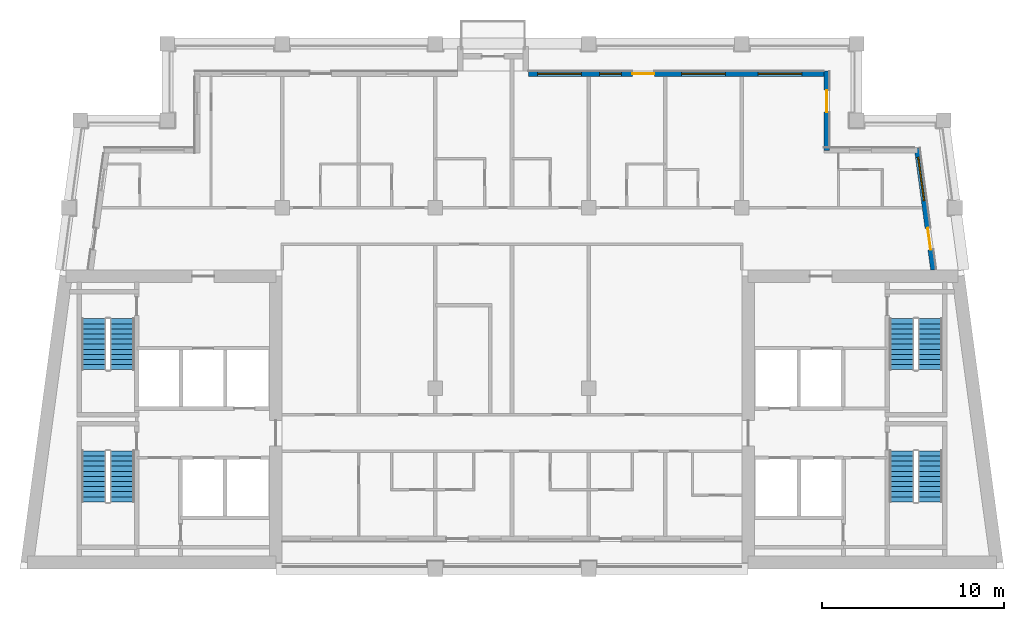
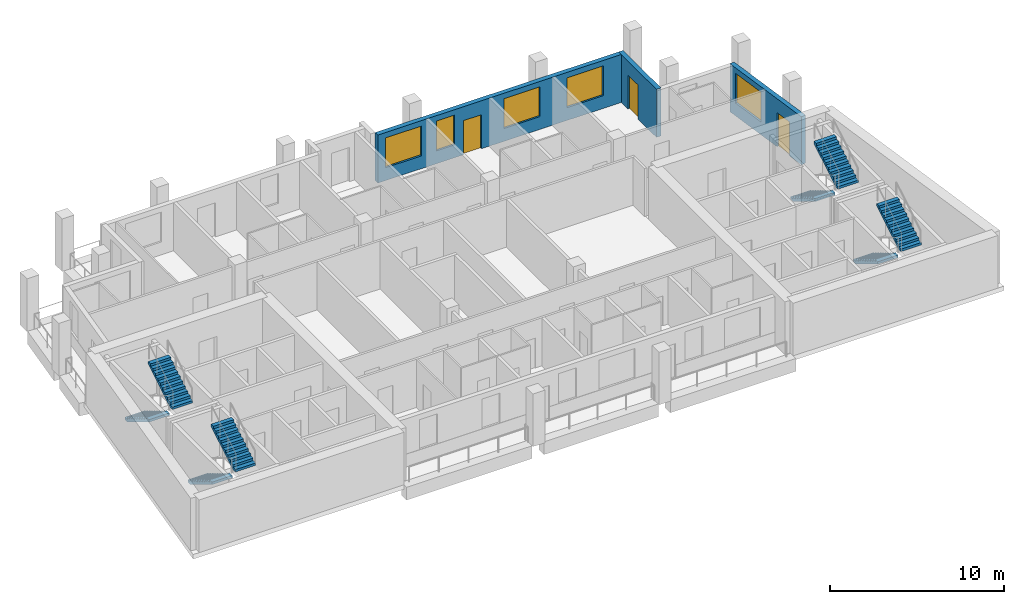
# One storey, part 6 of 9: 8 stair flights, 5 windows, 3 doors, 3 walls, 8 openings, 4 elements without a shape of their own.
"""IFC4 building model written with IfcOpenShell, lengths in metres."""

from ifc_helpers import new_model, si_unit, direction, frame, frame_2d, origin, place, context, subcontext, project, spatial, polyline, rectangle, outline, extrude, material, layer, layer_set, type_object, element, fill, aggregate, save


model = new_model("IFC4")

# Units and contexts
model_context = context("Model", 3, precision=1e-05, world=origin(), true_north=direction((0.0, 1.0)))
body_context = subcontext(model_context, "Body", "Model", "MODEL_VIEW")
ifc_project = project(units=[si_unit("LENGTHUNIT", "METRE"), si_unit("AREAUNIT", "SQUARE_METRE"), si_unit("VOLUMEUNIT", "CUBIC_METRE"), si_unit("PLANEANGLEUNIT", "RADIAN"), si_unit("MASSUNIT", "GRAM", prefix="KILO")], contexts=[model_context])

# Site, building, storey
site_placement = place(None, origin())
site = spatial("IfcSite", under=ifc_project, at=site_placement, CompositionType="ELEMENT")
building_placement = place(site_placement, origin())
building = spatial("IfcBuilding", under=site, at=building_placement, Name="Candeia Pilgrim Tower and Theatre", CompositionType="ELEMENT")
storey_placement = place(building_placement, frame((0.0, 0.0, 296.0)))
storey = spatial("IfcBuildingStorey", under=building, at=storey_placement, Name="L72", CompositionType="ELEMENT", Elevation=296.0)

# Wall, openings, door, window
ifc_material_1 = material(Name="Ceramic block masonry", Category="masonry")
ifc_layer = layer(ifc_material_1, 0.300048828125)
ifc_layer_set = layer_set([ifc_layer], Name="EW1 glazing-line wall 300")
wall_type = type_object("IfcWallType", Name="EW1 glazing-line wall 300", PredefinedType="SOLIDWALL", material=ifc_layer_set)
wall_1_placement = place(storey_placement, frame((136.50439453125, 132.39990234375, 0.0), z_axis=(0.0, 0.0, 1.0), x_axis=(-0.133399697462, 0.99106231929, 0.0)))
wall_1 = element("IfcWall", 1, at=wall_1_placement, inside=storey, type_object=wall_type, Name="External wall L72-2.0", PredefinedType="SOLIDWALL", context=body_context, shape_type="SweptSolid", body=[
    extrude(rectangle(XDim=6.740478515625, YDim=0.300048828125, at=frame_2d((3.3701171875, 0.0))), origin(), (0.0, 0.0, 1.0), 3.3798828125),
])
opening_1_placement = place(wall_1_placement, frame((1.115234375, 0.0, 0.0)))
opening_1 = element("IfcOpeningElement", 2, at=opening_1_placement, cuts=wall_1, Name="Opening L72-ED670", PredefinedType="OPENING", context=body_context, shape_type="SweptSolid", body=[
    extrude(rectangle(XDim=1.199951171875, YDim=2.39990234375, at=frame_2d((0.60009765625, 1.199951171875))), frame((0.0, 0.16015625, 0.0), z_axis=(0.0, -1.0, 0.0), x_axis=(1.0, 0.0, 0.0)), (0.0, 0.0, 1.0), 0.320068359375),
])
opening_2_placement = place(wall_1_placement, frame((3.83544921875, 0.0, 0.89990234375)))
opening_2 = element("IfcOpeningElement", 3, at=opening_2_placement, cuts=wall_1, Name="Opening W-A", PredefinedType="OPENING", context=body_context, shape_type="SweptSolid", body=[
    extrude(rectangle(XDim=2.39990234375, YDim=2.10009765625, at=frame_2d((1.199951171875, 1.050048828125))), frame((0.0, 0.16015625, 0.0), z_axis=(0.0, -1.0, 0.0), x_axis=(1.0, 0.0, 0.0)), (0.0, 0.0, 1.0), 0.320068359375),
])
ifc_material_2 = material(Name="Aluminium framed glazed door", Category="aluminium")
door_type = type_object("IfcDoorType", Name="Loggia door 1200x2400", OperationType="DOUBLE_DOOR_SINGLE_SWING", PredefinedType="DOOR", material=ifc_material_2)
door_1_placement = place(opening_1_placement, origin())
door_1 = element("IfcDoor", 4, at=door_1_placement, inside=storey, type_object=door_type, Name="Loggia door L72-ED670", OperationType="DOUBLE_DOOR_SINGLE_SWING", OverallHeight=2.39990234375, OverallWidth=1.199951171875, PredefinedType="DOOR", context=body_context, shape_type="SweptSolid", body=[
    extrude(rectangle(XDim=1.199951171875, YDim=2.39990234375, at=frame_2d((0.60009765625, 1.199951171875))), frame((0.0, 0.02490234375, 0.0), z_axis=(0.0, -1.0, 0.0), x_axis=(1.0, 0.0, 0.0)), (0.0, 0.0, 1.0), 0.050048828125),
])
fill(opening_1, door_1)
ifc_material_3 = material(Name="Aluminium framed double glazing", Category="aluminium")
window_type_1 = type_object("IfcWindowType", Name="W-A window 2400x2100", PartitioningType="DOUBLE_PANEL_VERTICAL", PredefinedType="WINDOW", material=ifc_material_3)
window_1_placement = place(opening_2_placement, origin())
window_1 = element("IfcWindow", 5, at=window_1_placement, inside=storey, type_object=window_type_1, Name="Window W-A L72", OverallHeight=2.10009765625, OverallWidth=2.39990234375, PartitioningType="SINGLE_PANEL", PredefinedType="WINDOW", context=body_context, shape_type="SweptSolid", body=[
    extrude(rectangle(XDim=2.39990234375, YDim=2.10009765625, at=frame_2d((1.199951171875, 1.050048828125))), frame((0.0, 0.030029296875, 0.0), z_axis=(0.0, -1.0, 0.0), x_axis=(1.0, 0.0, 0.0)), (0.0, 0.0, 1.0), 0.06005859375),
])
fill(opening_2, window_1)

# Wall, opening, door
wall_2_placement = place(storey_placement, frame((130.64990234375, 138.949951171875, 0.0), z_axis=(0.0, 0.0, 1.0), x_axis=(0.0, 1.0, 0.0)))
wall_2 = element("IfcWall", 6, at=wall_2_placement, inside=storey, type_object=wall_type, Name="External wall L72-4.0", PredefinedType="SOLIDWALL", context=body_context, shape_type="SweptSolid", body=[
    extrude(rectangle(XDim=4.35009765625, YDim=0.300048828125, at=frame_2d((2.175048828125, 0.0))), origin(), (0.0, 0.0, 1.0), 3.3798828125),
])
opening_3_placement = place(wall_2_placement, frame((2.10009765625, 0.0, 0.0)))
opening_3 = element("IfcOpeningElement", 7, at=opening_3_placement, cuts=wall_2, Name="Opening L72-ED671", PredefinedType="OPENING", context=body_context, shape_type="SweptSolid", body=[
    extrude(rectangle(XDim=1.199951171875, YDim=2.39990234375, at=frame_2d((0.60009765625, 1.199951171875))), frame((0.0, 0.16015625, 0.0), z_axis=(0.0, -1.0, 0.0), x_axis=(1.0, 0.0, 0.0)), (0.0, 0.0, 1.0), 0.320068359375),
])
door_2_placement = place(opening_3_placement, origin())
door_2 = element("IfcDoor", 8, at=door_2_placement, inside=storey, type_object=door_type, Name="Loggia door L72-ED671", OperationType="DOUBLE_DOOR_SINGLE_SWING", OverallHeight=2.39990234375, OverallWidth=1.199951171875, PredefinedType="DOOR", context=body_context, shape_type="SweptSolid", body=[
    extrude(rectangle(XDim=1.199951171875, YDim=2.39990234375, at=frame_2d((0.60009765625, 1.199951171875))), frame((0.0, 0.02490234375, 0.0), z_axis=(0.0, -1.0, 0.0), x_axis=(1.0, 0.0, 0.0)), (0.0, 0.0, 1.0), 0.050048828125),
])
fill(opening_3, door_2)

# Wall, openings, door, windows
wall_3_placement = place(storey_placement, frame((130.64990234375, 143.14990234375, 0.0), z_axis=(0.0, 0.0, 1.0), x_axis=(-1.0, 0.0, 0.0)))
wall_3 = element("IfcWall", 9, at=wall_3_placement, inside=storey, type_object=wall_type, Name="External wall L72-5.0", PredefinedType="SOLIDWALL", context=body_context, shape_type="SweptSolid", body=[
    extrude(rectangle(XDim=16.349853515625, YDim=0.300048828125, at=frame_2d((8.1748046875, 0.0))), origin(), (0.0, 0.0, 1.0), 3.3798828125),
])
opening_4_placement = place(wall_3_placement, frame((1.35009765625, 0.0, 0.89990234375)))
opening_4 = element("IfcOpeningElement", 10, at=opening_4_placement, cuts=wall_3, Name="Opening W-A", PredefinedType="OPENING", context=body_context, shape_type="SweptSolid", body=[
    extrude(rectangle(XDim=2.39990234375, YDim=2.10009765625, at=frame_2d((1.199951171875, 1.050048828125))), frame((0.0, 0.16015625, 0.0), z_axis=(0.0, -1.0, 0.0), x_axis=(1.0, 0.0, 0.0)), (0.0, 0.0, 1.0), 0.320068359375),
])
opening_5_placement = place(wall_3_placement, frame((5.550048828125, 0.0, 0.89990234375)))
opening_5 = element("IfcOpeningElement", 11, at=opening_5_placement, cuts=wall_3, Name="Opening W-A", PredefinedType="OPENING", context=body_context, shape_type="SweptSolid", body=[
    extrude(rectangle(XDim=2.39990234375, YDim=2.10009765625, at=frame_2d((1.199951171875, 1.050048828125))), frame((0.0, 0.16015625, 0.0), z_axis=(0.0, -1.0, 0.0), x_axis=(1.0, 0.0, 0.0)), (0.0, 0.0, 1.0), 0.320068359375),
])
opening_6_placement = place(wall_3_placement, frame((9.449951171875, 0.0, 0.0)))
opening_6 = element("IfcOpeningElement", 12, at=opening_6_placement, cuts=wall_3, Name="Opening L72-ED672", PredefinedType="OPENING", context=body_context, shape_type="SweptSolid", body=[
    extrude(rectangle(XDim=1.199951171875, YDim=2.39990234375, at=frame_2d((0.60009765625, 1.199951171875))), frame((0.0, 0.16015625, 0.0), z_axis=(0.0, -1.0, 0.0), x_axis=(1.0, 0.0, 0.0)), (0.0, 0.0, 1.0), 0.320068359375),
])
opening_7_placement = place(wall_3_placement, frame((11.25, 0.0, 0.89990234375)))
opening_7 = element("IfcOpeningElement", 13, at=opening_7_placement, cuts=wall_3, Name="Opening W-B", PredefinedType="OPENING", context=body_context, shape_type="SweptSolid", body=[
    extrude(rectangle(XDim=1.199951171875, YDim=2.10009765625, at=frame_2d((0.60009765625, 1.050048828125))), frame((0.0, 0.16015625, 0.0), z_axis=(0.0, -1.0, 0.0), x_axis=(1.0, 0.0, 0.0)), (0.0, 0.0, 1.0), 0.320068359375),
])
opening_8_placement = place(wall_3_placement, frame((13.449951171875, 0.0, 0.89990234375)))
opening_8 = element("IfcOpeningElement", 14, at=opening_8_placement, cuts=wall_3, Name="Opening W-A", PredefinedType="OPENING", context=body_context, shape_type="SweptSolid", body=[
    extrude(rectangle(XDim=2.39990234375, YDim=2.10009765625, at=frame_2d((1.199951171875, 1.050048828125))), frame((0.0, 0.16015625, 0.0), z_axis=(0.0, -1.0, 0.0), x_axis=(1.0, 0.0, 0.0)), (0.0, 0.0, 1.0), 0.320068359375),
])
door_3_placement = place(opening_6_placement, origin())
door_3 = element("IfcDoor", 15, at=door_3_placement, inside=storey, type_object=door_type, Name="Loggia door L72-ED672", OperationType="DOUBLE_DOOR_SINGLE_SWING", OverallHeight=2.39990234375, OverallWidth=1.199951171875, PredefinedType="DOOR", context=body_context, shape_type="SweptSolid", body=[
    extrude(rectangle(XDim=1.199951171875, YDim=2.39990234375, at=frame_2d((0.60009765625, 1.199951171875))), frame((0.0, 0.02490234375, 0.0), z_axis=(0.0, -1.0, 0.0), x_axis=(1.0, 0.0, 0.0)), (0.0, 0.0, 1.0), 0.050048828125),
])
fill(opening_6, door_3)
window_2_placement = place(opening_4_placement, origin())
window_2 = element("IfcWindow", 16, at=window_2_placement, inside=storey, type_object=window_type_1, Name="Window W-A L72", OverallHeight=2.10009765625, OverallWidth=2.39990234375, PartitioningType="SINGLE_PANEL", PredefinedType="WINDOW", context=body_context, shape_type="SweptSolid", body=[
    extrude(rectangle(XDim=2.39990234375, YDim=2.10009765625, at=frame_2d((1.199951171875, 1.050048828125))), frame((0.0, 0.030029296875, 0.0), z_axis=(0.0, -1.0, 0.0), x_axis=(1.0, 0.0, 0.0)), (0.0, 0.0, 1.0), 0.06005859375),
])
fill(opening_4, window_2)
window_3_placement = place(opening_5_placement, origin())
window_3 = element("IfcWindow", 17, at=window_3_placement, inside=storey, type_object=window_type_1, Name="Window W-A L72", OverallHeight=2.10009765625, OverallWidth=2.39990234375, PartitioningType="SINGLE_PANEL", PredefinedType="WINDOW", context=body_context, shape_type="SweptSolid", body=[
    extrude(rectangle(XDim=2.39990234375, YDim=2.10009765625, at=frame_2d((1.199951171875, 1.050048828125))), frame((0.0, 0.030029296875, 0.0), z_axis=(0.0, -1.0, 0.0), x_axis=(1.0, 0.0, 0.0)), (0.0, 0.0, 1.0), 0.06005859375),
])
fill(opening_5, window_3)
window_4_placement = place(opening_8_placement, origin())
window_4 = element("IfcWindow", 18, at=window_4_placement, inside=storey, type_object=window_type_1, Name="Window W-A L72", OverallHeight=2.10009765625, OverallWidth=2.39990234375, PartitioningType="SINGLE_PANEL", PredefinedType="WINDOW", context=body_context, shape_type="SweptSolid", body=[
    extrude(rectangle(XDim=2.39990234375, YDim=2.10009765625, at=frame_2d((1.199951171875, 1.050048828125))), frame((0.0, 0.030029296875, 0.0), z_axis=(0.0, -1.0, 0.0), x_axis=(1.0, 0.0, 0.0)), (0.0, 0.0, 1.0), 0.06005859375),
])
fill(opening_8, window_4)
window_type_2 = type_object("IfcWindowType", Name="W-B window 1200x2100", PartitioningType="SINGLE_PANEL", PredefinedType="WINDOW", material=ifc_material_3)
window_5_placement = place(opening_7_placement, origin())
window_5 = element("IfcWindow", 19, at=window_5_placement, inside=storey, type_object=window_type_2, Name="Window W-B L72", OverallHeight=2.10009765625, OverallWidth=1.199951171875, PartitioningType="SINGLE_PANEL", PredefinedType="WINDOW", context=body_context, shape_type="SweptSolid", body=[
    extrude(rectangle(XDim=1.199951171875, YDim=2.10009765625, at=frame_2d((0.60009765625, 1.050048828125))), frame((0.0, 0.030029296875, 0.0), z_axis=(0.0, -1.0, 0.0), x_axis=(1.0, 0.0, 0.0)), (0.0, 0.0, 1.0), 0.06005859375),
])
fill(opening_7, window_5)

# Stair, stair flights
ifc_material_4 = material(Name="Concrete C40/50", Category="concrete")
stair_type = type_object("IfcStairType", Name="ST-TWR dog-leg escape stair", PredefinedType="HALF_TURN_STAIR", material=ifc_material_4)
stair_1_placement = place(storey_placement, origin())
stair_1 = element("IfcStair", 20, at=stair_1_placement, inside=storey, type_object=stair_type, Name="L72 Escape stair ST1", PredefinedType="HALF_TURN_STAIR")
stair_flight_type = type_object("IfcStairFlightType", Name="SFL-RC stair flight", PredefinedType="STRAIGHT", material=ifc_material_4)
stair_flight_1_placement = place(storey_placement, frame((90.47705078125, 122.47509765625, 0.0), z_axis=(0.0, 0.0, 1.0), x_axis=(0.0, -1.0, 0.0)))
stair_flight_1 = element("IfcStairFlight", 21, at=stair_flight_1_placement, type_object=stair_flight_type, Name="ST1 flight 1", NumberOfRisers=11, NumberOfTreads=10, PredefinedType="STRAIGHT", RiserHeight=0.168181818, TreadLength=0.28, context=body_context, shape_type="SweptSolid", body=[
    extrude(outline(polyline([(0.0, 0.0), (0.0, 0.168212890625), (0.280029296875, 0.168212890625), (0.280029296875, 0.33642578125), (0.56005859375, 0.33642578125), (0.56005859375, 0.504638671875), (0.840087890625, 0.504638671875), (0.840087890625, 0.672607421875), (1.1201171875, 0.672607421875), (1.1201171875, 0.8408203125), (1.39990234375, 0.8408203125), (1.39990234375, 1.009033203125), (1.679931640625, 1.009033203125), (1.679931640625, 1.17724609375), (1.9599609375, 1.17724609375), (1.9599609375, 1.345458984375), (2.239990234375, 1.345458984375), (2.239990234375, 1.513671875), (2.52001953125, 1.513671875), (2.52001953125, 1.681884765625), (2.800048828125, 1.681884765625), (2.800048828125, 1.85009765625), (2.800048828125, 1.5068359375), (0.291015625, 0.0), (0.0, 0.0)])), frame((0.0, 0.675048828125, 0.0), z_axis=(0.0, -1.0, 0.0), x_axis=(1.0, 0.0, 0.0)), (0.0, 0.0, 1.0), 1.35009765625),
])
stair_flight_2_placement = place(storey_placement, frame((92.027099609375, 119.675048828125, 1.85009765625), z_axis=(0.0, 0.0, 1.0), x_axis=(0.0, 1.0, 0.0)))
stair_flight_2 = element("IfcStairFlight", 22, at=stair_flight_2_placement, type_object=stair_flight_type, Name="ST1 flight 2", NumberOfRisers=11, NumberOfTreads=10, PredefinedType="STRAIGHT", RiserHeight=0.168181818, TreadLength=0.28, context=body_context, shape_type="SweptSolid", body=[
    extrude(outline(polyline([(0.0, 0.0), (0.0, 0.168212890625), (0.280029296875, 0.168212890625), (0.280029296875, 0.33642578125), (0.56005859375, 0.33642578125), (0.56005859375, 0.504638671875), (0.840087890625, 0.504638671875), (0.840087890625, 0.672607421875), (1.1201171875, 0.672607421875), (1.1201171875, 0.8408203125), (1.39990234375, 0.8408203125), (1.39990234375, 1.009033203125), (1.679931640625, 1.009033203125), (1.679931640625, 1.17724609375), (1.9599609375, 1.17724609375), (1.9599609375, 1.345458984375), (2.239990234375, 1.345458984375), (2.239990234375, 1.513671875), (2.52001953125, 1.513671875), (2.52001953125, 1.681884765625), (2.800048828125, 1.681884765625), (2.800048828125, 1.85009765625), (2.800048828125, 1.5068359375), (0.291015625, 0.0), (0.0, 0.0)])), frame((0.0, 0.675048828125, 0.0), z_axis=(0.0, -1.0, 0.0), x_axis=(1.0, 0.0, 0.0)), (0.0, 0.0, 1.0), 1.35009765625),
])
aggregate(stair_1, [stair_flight_1, stair_flight_2])

stair_2_placement = place(storey_placement, origin())
stair_2 = element("IfcStair", 23, at=stair_2_placement, inside=storey, type_object=stair_type, Name="L72 Escape stair ST2", PredefinedType="HALF_TURN_STAIR")
stair_flight_3_placement = place(storey_placement, frame((90.47705078125, 129.72509765625, 0.0), z_axis=(0.0, 0.0, 1.0), x_axis=(0.0, -1.0, 0.0)))
stair_flight_3 = element("IfcStairFlight", 24, at=stair_flight_3_placement, type_object=stair_flight_type, Name="ST2 flight 1", NumberOfRisers=11, NumberOfTreads=10, PredefinedType="STRAIGHT", RiserHeight=0.168181818, TreadLength=0.28, context=body_context, shape_type="SweptSolid", body=[
    extrude(outline(polyline([(0.0, 0.0), (0.0, 0.168212890625), (0.280029296875, 0.168212890625), (0.280029296875, 0.33642578125), (0.56005859375, 0.33642578125), (0.56005859375, 0.504638671875), (0.840087890625, 0.504638671875), (0.840087890625, 0.672607421875), (1.1201171875, 0.672607421875), (1.1201171875, 0.8408203125), (1.39990234375, 0.8408203125), (1.39990234375, 1.009033203125), (1.679931640625, 1.009033203125), (1.679931640625, 1.17724609375), (1.9599609375, 1.17724609375), (1.9599609375, 1.345458984375), (2.239990234375, 1.345458984375), (2.239990234375, 1.513671875), (2.52001953125, 1.513671875), (2.52001953125, 1.681884765625), (2.800048828125, 1.681884765625), (2.800048828125, 1.85009765625), (2.800048828125, 1.5068359375), (0.291015625, 0.0), (0.0, 0.0)])), frame((0.0, 0.675048828125, 0.0), z_axis=(0.0, -1.0, 0.0), x_axis=(1.0, 0.0, 0.0)), (0.0, 0.0, 1.0), 1.35009765625),
])
stair_flight_4_placement = place(storey_placement, frame((92.027099609375, 126.925048828125, 1.85009765625), z_axis=(0.0, 0.0, 1.0), x_axis=(0.0, 1.0, 0.0)))
stair_flight_4 = element("IfcStairFlight", 25, at=stair_flight_4_placement, type_object=stair_flight_type, Name="ST2 flight 2", NumberOfRisers=11, NumberOfTreads=10, PredefinedType="STRAIGHT", RiserHeight=0.168181818, TreadLength=0.28, context=body_context, shape_type="SweptSolid", body=[
    extrude(outline(polyline([(0.0, 0.0), (0.0, 0.168212890625), (0.280029296875, 0.168212890625), (0.280029296875, 0.33642578125), (0.56005859375, 0.33642578125), (0.56005859375, 0.504638671875), (0.840087890625, 0.504638671875), (0.840087890625, 0.672607421875), (1.1201171875, 0.672607421875), (1.1201171875, 0.8408203125), (1.39990234375, 0.8408203125), (1.39990234375, 1.009033203125), (1.679931640625, 1.009033203125), (1.679931640625, 1.17724609375), (1.9599609375, 1.17724609375), (1.9599609375, 1.345458984375), (2.239990234375, 1.345458984375), (2.239990234375, 1.513671875), (2.52001953125, 1.513671875), (2.52001953125, 1.681884765625), (2.800048828125, 1.681884765625), (2.800048828125, 1.85009765625), (2.800048828125, 1.5068359375), (0.291015625, 0.0), (0.0, 0.0)])), frame((0.0, 0.675048828125, 0.0), z_axis=(0.0, -1.0, 0.0), x_axis=(1.0, 0.0, 0.0)), (0.0, 0.0, 1.0), 1.35009765625),
])
aggregate(stair_2, [stair_flight_3, stair_flight_4])

stair_3_placement = place(storey_placement, origin())
stair_3 = element("IfcStair", 26, at=stair_3_placement, inside=storey, type_object=stair_type, Name="L72 Escape stair ST3", PredefinedType="HALF_TURN_STAIR")
stair_flight_5_placement = place(storey_placement, frame((134.77294921875, 122.47509765625, 0.0), z_axis=(0.0, 0.0, 1.0), x_axis=(0.0, -1.0, 0.0)))
stair_flight_5 = element("IfcStairFlight", 27, at=stair_flight_5_placement, type_object=stair_flight_type, Name="ST3 flight 1", NumberOfRisers=11, NumberOfTreads=10, PredefinedType="STRAIGHT", RiserHeight=0.168181818, TreadLength=0.28, context=body_context, shape_type="SweptSolid", body=[
    extrude(outline(polyline([(0.0, 0.0), (0.0, 0.168212890625), (0.280029296875, 0.168212890625), (0.280029296875, 0.33642578125), (0.56005859375, 0.33642578125), (0.56005859375, 0.504638671875), (0.840087890625, 0.504638671875), (0.840087890625, 0.672607421875), (1.1201171875, 0.672607421875), (1.1201171875, 0.8408203125), (1.39990234375, 0.8408203125), (1.39990234375, 1.009033203125), (1.679931640625, 1.009033203125), (1.679931640625, 1.17724609375), (1.9599609375, 1.17724609375), (1.9599609375, 1.345458984375), (2.239990234375, 1.345458984375), (2.239990234375, 1.513671875), (2.52001953125, 1.513671875), (2.52001953125, 1.681884765625), (2.800048828125, 1.681884765625), (2.800048828125, 1.85009765625), (2.800048828125, 1.5068359375), (0.291015625, 0.0), (0.0, 0.0)])), frame((0.0, 0.675048828125, 0.0), z_axis=(0.0, -1.0, 0.0), x_axis=(1.0, 0.0, 0.0)), (0.0, 0.0, 1.0), 1.35009765625),
])
stair_flight_6_placement = place(storey_placement, frame((136.322998046875, 119.675048828125, 1.85009765625), z_axis=(0.0, 0.0, 1.0), x_axis=(0.0, 1.0, 0.0)))
stair_flight_6 = element("IfcStairFlight", 28, at=stair_flight_6_placement, type_object=stair_flight_type, Name="ST3 flight 2", NumberOfRisers=11, NumberOfTreads=10, PredefinedType="STRAIGHT", RiserHeight=0.168181818, TreadLength=0.28, context=body_context, shape_type="SweptSolid", body=[
    extrude(outline(polyline([(0.0, 0.0), (0.0, 0.168212890625), (0.280029296875, 0.168212890625), (0.280029296875, 0.33642578125), (0.56005859375, 0.33642578125), (0.56005859375, 0.504638671875), (0.840087890625, 0.504638671875), (0.840087890625, 0.672607421875), (1.1201171875, 0.672607421875), (1.1201171875, 0.8408203125), (1.39990234375, 0.8408203125), (1.39990234375, 1.009033203125), (1.679931640625, 1.009033203125), (1.679931640625, 1.17724609375), (1.9599609375, 1.17724609375), (1.9599609375, 1.345458984375), (2.239990234375, 1.345458984375), (2.239990234375, 1.513671875), (2.52001953125, 1.513671875), (2.52001953125, 1.681884765625), (2.800048828125, 1.681884765625), (2.800048828125, 1.85009765625), (2.800048828125, 1.5068359375), (0.291015625, 0.0), (0.0, 0.0)])), frame((0.0, 0.675048828125, 0.0), z_axis=(0.0, -1.0, 0.0), x_axis=(1.0, 0.0, 0.0)), (0.0, 0.0, 1.0), 1.35009765625),
])
aggregate(stair_3, [stair_flight_5, stair_flight_6])

stair_4_placement = place(storey_placement, origin())
stair_4 = element("IfcStair", 29, at=stair_4_placement, inside=storey, type_object=stair_type, Name="L72 Escape stair ST4", PredefinedType="HALF_TURN_STAIR")
stair_flight_7_placement = place(storey_placement, frame((134.77294921875, 129.72509765625, 0.0), z_axis=(0.0, 0.0, 1.0), x_axis=(0.0, -1.0, 0.0)))
stair_flight_7 = element("IfcStairFlight", 30, at=stair_flight_7_placement, type_object=stair_flight_type, Name="ST4 flight 1", NumberOfRisers=11, NumberOfTreads=10, PredefinedType="STRAIGHT", RiserHeight=0.168181818, TreadLength=0.28, context=body_context, shape_type="SweptSolid", body=[
    extrude(outline(polyline([(0.0, 0.0), (0.0, 0.168212890625), (0.280029296875, 0.168212890625), (0.280029296875, 0.33642578125), (0.56005859375, 0.33642578125), (0.56005859375, 0.504638671875), (0.840087890625, 0.504638671875), (0.840087890625, 0.672607421875), (1.1201171875, 0.672607421875), (1.1201171875, 0.8408203125), (1.39990234375, 0.8408203125), (1.39990234375, 1.009033203125), (1.679931640625, 1.009033203125), (1.679931640625, 1.17724609375), (1.9599609375, 1.17724609375), (1.9599609375, 1.345458984375), (2.239990234375, 1.345458984375), (2.239990234375, 1.513671875), (2.52001953125, 1.513671875), (2.52001953125, 1.681884765625), (2.800048828125, 1.681884765625), (2.800048828125, 1.85009765625), (2.800048828125, 1.5068359375), (0.291015625, 0.0), (0.0, 0.0)])), frame((0.0, 0.675048828125, 0.0), z_axis=(0.0, -1.0, 0.0), x_axis=(1.0, 0.0, 0.0)), (0.0, 0.0, 1.0), 1.35009765625),
])
stair_flight_8_placement = place(storey_placement, frame((136.322998046875, 126.925048828125, 1.85009765625), z_axis=(0.0, 0.0, 1.0), x_axis=(0.0, 1.0, 0.0)))
stair_flight_8 = element("IfcStairFlight", 31, at=stair_flight_8_placement, type_object=stair_flight_type, Name="ST4 flight 2", NumberOfRisers=11, NumberOfTreads=10, PredefinedType="STRAIGHT", RiserHeight=0.168181818, TreadLength=0.28, context=body_context, shape_type="SweptSolid", body=[
    extrude(outline(polyline([(0.0, 0.0), (0.0, 0.168212890625), (0.280029296875, 0.168212890625), (0.280029296875, 0.33642578125), (0.56005859375, 0.33642578125), (0.56005859375, 0.504638671875), (0.840087890625, 0.504638671875), (0.840087890625, 0.672607421875), (1.1201171875, 0.672607421875), (1.1201171875, 0.8408203125), (1.39990234375, 0.8408203125), (1.39990234375, 1.009033203125), (1.679931640625, 1.009033203125), (1.679931640625, 1.17724609375), (1.9599609375, 1.17724609375), (1.9599609375, 1.345458984375), (2.239990234375, 1.345458984375), (2.239990234375, 1.513671875), (2.52001953125, 1.513671875), (2.52001953125, 1.681884765625), (2.800048828125, 1.681884765625), (2.800048828125, 1.85009765625), (2.800048828125, 1.5068359375), (0.291015625, 0.0), (0.0, 0.0)])), frame((0.0, 0.675048828125, 0.0), z_axis=(0.0, -1.0, 0.0), x_axis=(1.0, 0.0, 0.0)), (0.0, 0.0, 1.0), 1.35009765625),
])
aggregate(stair_4, [stair_flight_7, stair_flight_8])

save(model, "model.ifc")
